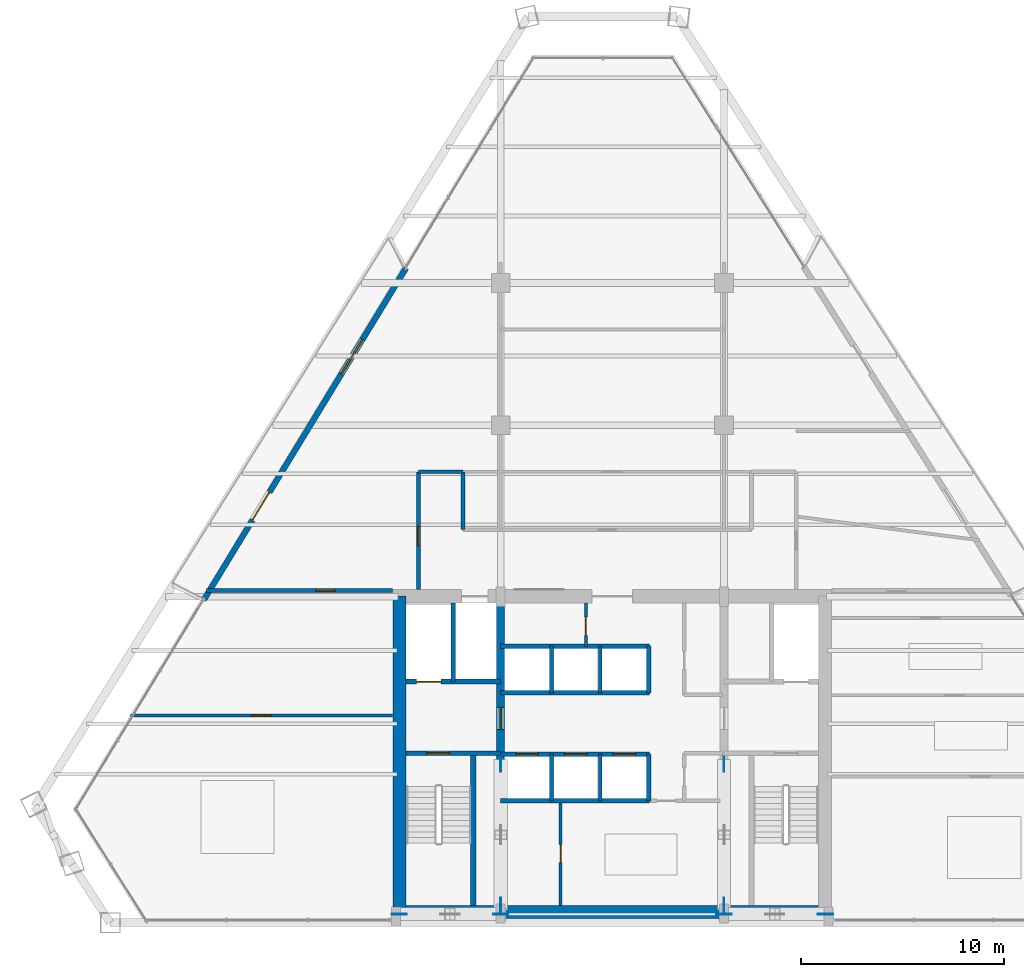
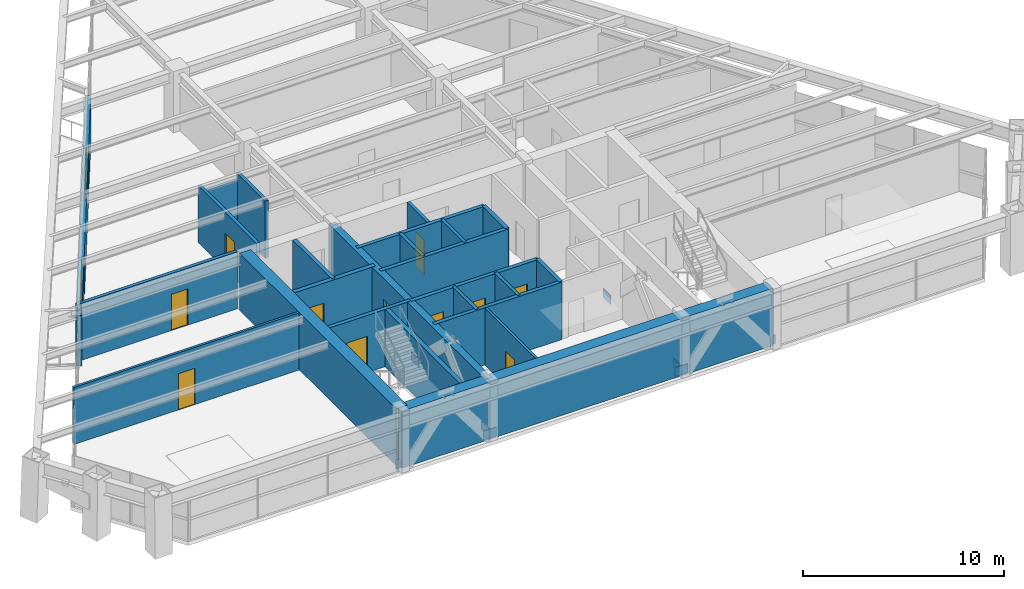
# One storey, part 9 of 13: 25 walls, 12 doors, 8 plates, 1 window, 13 openings.
"""IFC4 building model written with IfcOpenShell, lengths in metres."""

from ifc_helpers import new_model, si_unit, direction, frame, frame_2d, origin, origin_2d, place, context, subcontext, project, spatial, rectangle, extrude, source, transform, mapped, material, layer, layer_set, type_object, type_shapes, element, fill, save


model = new_model("IFC4")

# Units and contexts
model_context = context("Model", 3, precision=1e-05, world=origin(), true_north=direction((0.0, 1.0)))
body_context = subcontext(model_context, "Body", "Model", "MODEL_VIEW")
ifc_project = project(units=[si_unit("LENGTHUNIT", "METRE"), si_unit("AREAUNIT", "SQUARE_METRE"), si_unit("VOLUMEUNIT", "CUBIC_METRE"), si_unit("PLANEANGLEUNIT", "RADIAN"), si_unit("MASSUNIT", "GRAM", prefix="KILO")], contexts=[model_context])

# Site, building, storey
site_placement = place(None, origin())
site = spatial("IfcSite", under=ifc_project, at=site_placement, CompositionType="ELEMENT")
building_placement = place(site_placement, origin())
building = spatial("IfcBuilding", under=site, at=building_placement, Name="Varnakhor Terracotta Tower", CompositionType="ELEMENT")
storey_placement = place(building_placement, frame((0.0, 0.0, 204.300048828125)))
storey = spatial("IfcBuildingStorey", under=building, at=storey_placement, Name="L52", CompositionType="ELEMENT", Elevation=204.300048828125)

# Plates
ifc_material_1 = material(Name="Steel S460", Category="steel")
ifc_layer_1 = layer(ifc_material_1, 0.050048828125, Name="Steel S460")
ifc_layer_set_1 = layer_set([ifc_layer_1], Name="Steel S460")
plate_type = type_object("IfcPlateType", Name="PLT-GUSSET-50", PredefinedType="USERDEFINED", material=ifc_layer_set_1)
shared_shape_1 = source(origin(), body_context, "Body", "SweptSolid", [
    extrude(rectangle(XDim=0.75, YDim=0.0400390625, at=origin_2d()), origin(), (0.0, 0.0, 1.0), 0.550048828125),
])
type_shapes(plate_type, [shared_shape_1])
for number, where, z_axis, x_axis, name in (
    (1, (-10.5, 0.419921875, -0.09521484375), (0.0, 0.0, 1.0), (1.0, 0.0, 0.0), "L52 Core Brace Embed Plate CSWA"),
    (2, (-5.5, 0.419921875, -0.09521484375), (0.0, 0.0, 1.0), (1.0, 0.0, 0.0), "L52 Core Brace Embed Plate CSWB"),
    (3, (5.5, 0.419921875, -0.09521484375), (0.0, 0.0, 1.0), (1.0, 0.0, 0.0), "L52 Core Brace Embed Plate CSEA"),
    (4, (10.5, 0.419921875, -0.09521484375), (0.0, 0.0, 1.0), (1.0, 0.0, 0.0), "L52 Core Brace Embed Plate CSEB"),
    (5, (-5.5, 0.85009765625, -0.09521484375), (0.0, 0.0, 1.0), (0.0, 1.0, 0.0), "L52 Core Brace Embed Plate CWWA"),
    (6, (-5.5, 7.800048828125, -0.09521484375), (0.0, 0.0, 1.0), (0.0, 1.0, 0.0), "L52 Core Brace Embed Plate CWWB"),
    (7, (5.5, 0.85009765625, -0.09521484375), (0.0, 0.0, 1.0), (0.0, 1.0, 0.0), "L52 Core Brace Embed Plate CWEA"),
    (8, (5.5, 7.800048828125, -0.09521484375), (0.0, 0.0, 1.0), (0.0, 1.0, 0.0), "L52 Core Brace Embed Plate CWEB"),
):
    element("IfcPlate", number, at=place(storey_placement, frame(where, z_axis=z_axis, x_axis=x_axis)), inside=storey, type_object=plate_type, Name=name, ObjectType="GUSSET PLATE", PredefinedType="USERDEFINED", context=body_context, shape_type="MappedRepresentation", body=[
        mapped(shared_shape_1, transform((0.0, 0.0, 0.0), scale=1.0)),
    ])

# Walls
ifc_material_2 = material(Name="Concrete C50/60", Category="concrete")
ifc_layer_2 = layer(ifc_material_2, 0.64990234375, Name="Concrete C50/60")
ifc_layer_set_2 = layer_set([ifc_layer_2], Name="Concrete C50/60")
wall_type_1 = type_object("IfcWallType", Name="WAL-CORE-650", PredefinedType="SHEAR", material=ifc_layer_set_2)
wall_1_placement = place(storey_placement, frame((-10.64990234375, 0.52490234375, 0.0), z_axis=(0.0, 0.0, 1.0), x_axis=(1.0, 0.0, 0.0)))
element("IfcWall", 9, at=wall_1_placement, inside=storey, type_object=wall_type_1, Name="L52 South Core Shear Wall", PredefinedType="SHEAR", context=body_context, shape_type="SweptSolid", body=[
    extrude(rectangle(XDim=21.2998046875, YDim=0.64990234375, at=frame_2d((10.64990234375, 0.0))), origin(), (0.0, 0.0, 1.0), 3.469970703125),
])
wall_2_placement = place(storey_placement, frame((-10.47509765625, 0.52490234375, 0.0), z_axis=(0.0, 0.0, 1.0), x_axis=(0.0, 1.0, 0.0)))
element("IfcWall", 10, at=wall_2_placement, inside=storey, type_object=wall_type_1, Name="L52 West Core Shear Wall", PredefinedType="SHEAR", context=body_context, shape_type="SweptSolid", body=[
    extrude(rectangle(XDim=15.550048828125, YDim=0.64990234375, at=frame_2d((7.77490234375, 0.0))), origin(), (0.0, 0.0, 1.0), 3.469970703125),
])

# Wall, opening, door
ifc_layer_3 = layer(ifc_material_2, 0.39990234375, Name="Concrete C50/60")
ifc_layer_set_3 = layer_set([ifc_layer_3], Name="Concrete C50/60")
wall_type_2 = type_object("IfcWallType", Name="WAL-CORE-WEB-400", PredefinedType="SHEAR", material=ifc_layer_set_3)
wall_3_placement = place(storey_placement, frame((-5.5, 0.52490234375, 0.0), z_axis=(0.0, 0.0, 1.0), x_axis=(0.0, 1.0, 0.0)))
wall_3 = element("IfcWall", 11, at=wall_3_placement, inside=storey, type_object=wall_type_2, Name="L52 West Core Web Shear Wall", PredefinedType="SHEAR", context=body_context, shape_type="SweptSolid", body=[
    extrude(rectangle(XDim=15.550048828125, YDim=0.39990234375, at=frame_2d((7.77490234375, 0.0))), origin(), (0.0, 0.0, 1.0), 3.469970703125),
])
opening_1_placement = place(wall_3_placement, frame((8.97509765625, 0.0, 0.0)))
opening_1 = element("IfcOpeningElement", 12, at=opening_1_placement, cuts=wall_3, Name="Opening DR-25", PredefinedType="OPENING", context=body_context, shape_type="SweptSolid", body=[
    extrude(rectangle(XDim=1.10009765625, YDim=2.199951171875, at=frame_2d((0.550048828125, 1.10009765625))), frame((0.0, 0.2099609375, 0.0), z_axis=(0.0, -1.0, 0.0), x_axis=(1.0, 0.0, 0.0)), (0.0, 0.0, 1.0), 0.419921875),
])
ifc_material_3 = material(Name="Firefighting Lobby Self-Closing Fire Door", Category="steel")
door_type_1 = type_object("IfcDoorType", Name="DR-FFL-1100X2200", OperationType="NOTDEFINED", PredefinedType="DOOR", material=ifc_material_3)
shared_shape_2 = source(origin(), body_context, "Body", "SweptSolid", [
    extrude(rectangle(XDim=1.10009765625, YDim=2.199951171875, at=frame_2d((0.550048828125, 1.10009765625))), frame((0.0, 0.02490234375, 0.0), z_axis=(0.0, -1.0, 0.0), x_axis=(1.0, 0.0, 0.0)), (0.0, 0.0, 1.0), 0.050048828125),
])
type_shapes(door_type_1, [shared_shape_2])
door_1_placement = place(opening_1_placement, origin())
door_1 = element("IfcDoor", 13, at=door_1_placement, inside=storey, type_object=door_type_1, Name="L52 West Firefighting Lobby Door", OperationType="SINGLE_SWING_RIGHT", OverallHeight=2.199951171875, OverallWidth=1.10009765625, PredefinedType="DOOR", context=body_context, shape_type="MappedRepresentation", body=[
    mapped(shared_shape_2, transform((0.0, 0.0, 0.0), scale=1.0)),
])
fill(opening_1, door_1)

# Wall
ifc_material_4 = material(Name="Fire-Rated Gypsum Stud Partition", Category="gypsum")
ifc_layer_4 = layer(ifc_material_4, 0.18505859375, Name="Fire-Rated Gypsum Stud Partition")
ifc_layer_set_4 = layer_set([ifc_layer_4], Name="Fire-Rated Gypsum Stud Partition")
wall_type_3 = type_object("IfcWallType", Name="WAL-CORR-185", PredefinedType="PARTITIONING", material=ifc_layer_set_4)
wall_4_placement = place(storey_placement, frame((-7.35009765625, 19.35009765625, 0.0), z_axis=(0.0, 0.0, 1.0), x_axis=(0.0, 1.0, 0.0)))
element("IfcWall", 14, at=wall_4_placement, inside=storey, type_object=wall_type_3, Name="L52 West Gallery Inner Wall", PredefinedType="PARTITIONING", context=body_context, shape_type="SweptSolid", body=[
    extrude(rectangle(XDim=2.849853515625, YDim=0.18505859375, at=frame_2d((1.4248046875, 0.0))), origin(), (0.0, 0.0, 1.0), 3.4619140625),
])

# Wall, opening, door
wall_5_placement = place(storey_placement, frame((-9.550048828125, 16.39990234375, 0.0), z_axis=(0.0, 0.0, 1.0), x_axis=(0.0, 1.0, 0.0)))
wall_5 = element("IfcWall", 15, at=wall_5_placement, inside=storey, type_object=wall_type_3, Name="L52 West Gallery Outer Wall", PredefinedType="PARTITIONING", context=body_context, shape_type="SweptSolid", body=[
    extrude(rectangle(XDim=5.800048828125, YDim=0.18505859375, at=frame_2d((2.89990234375, 0.0))), origin(), (0.0, 0.0, 1.0), 3.4619140625),
])
opening_2_placement = place(wall_5_placement, frame((2.1689453125, 0.0, 0.0)))
opening_2 = element("IfcOpeningElement", 16, at=opening_2_placement, cuts=wall_5, Name="Opening DR-94", PredefinedType="OPENING", context=body_context, shape_type="SweptSolid", body=[
    extrude(rectangle(XDim=0.949951171875, YDim=2.199951171875, at=frame_2d((0.47509765625, 1.10009765625))), frame((0.0, 0.1025390625, 0.0), z_axis=(0.0, -1.0, 0.0), x_axis=(1.0, 0.0, 0.0)), (0.0, 0.0, 1.0), 0.205078125),
])
ifc_material_5 = material(Name="Acoustic Glazed-Vision Timber Office Door", Category="wood")
door_type_2 = type_object("IfcDoorType", Name="DR-OFF-950X2200", OperationType="NOTDEFINED", PredefinedType="DOOR", material=ifc_material_5)
shared_shape_3 = source(origin(), body_context, "Body", "SweptSolid", [
    extrude(rectangle(XDim=0.949951171875, YDim=2.199951171875, at=frame_2d((0.47509765625, 1.10009765625))), frame((0.0, 0.02490234375, 0.0), z_axis=(0.0, -1.0, 0.0), x_axis=(1.0, 0.0, 0.0)), (0.0, 0.0, 1.0), 0.050048828125),
])
type_shapes(door_type_2, [shared_shape_3])
door_2_placement = place(opening_2_placement, origin())
door_2 = element("IfcDoor", 17, at=door_2_placement, inside=storey, type_object=door_type_2, Name="L52 West Wing Door", OperationType="SINGLE_SWING_LEFT", OverallHeight=2.199951171875, OverallWidth=0.949951171875, PredefinedType="DOOR", context=body_context, shape_type="MappedRepresentation", body=[
    mapped(shared_shape_3, transform((0.0, 0.0, 0.0), scale=1.0)),
])
fill(opening_2, door_2)

# Wall
wall_6_placement = place(storey_placement, frame((-9.550048828125, 22.199951171875, 0.0), z_axis=(0.0, 0.0, 1.0), x_axis=(1.0, 0.0, 0.0)))
element("IfcWall", 18, at=wall_6_placement, inside=storey, type_object=wall_type_3, Name="L52 West Gallery North End", PredefinedType="PARTITIONING", context=body_context, shape_type="SweptSolid", body=[
    extrude(rectangle(XDim=2.199951171875, YDim=0.18505859375, at=frame_2d((1.10009765625, 0.0))), origin(), (0.0, 0.0, 1.0), 3.049072265625),
])

# Wall, opening, door
wall_7_placement = place(storey_placement, frame((-19.990478515625, 16.35009765625, 0.0), z_axis=(0.0, 0.0, 1.0), x_axis=(1.0, 0.0, 0.0)))
wall_7 = element("IfcWall", 19, at=wall_7_placement, inside=storey, type_object=wall_type_3, Name="L52 South West Entry Wall", PredefinedType="PARTITIONING", context=body_context, shape_type="SweptSolid", body=[
    extrude(rectangle(XDim=9.17041015625, YDim=0.18505859375, at=frame_2d((4.585205078125, 0.0))), origin(), (0.0, 0.0, 1.0), 3.4619140625),
])
opening_3_placement = place(wall_7_placement, frame((5.3837890625, 0.0, 0.0)))
opening_3 = element("IfcOpeningElement", 20, at=opening_3_placement, cuts=wall_7, Name="Opening DR-94", PredefinedType="OPENING", context=body_context, shape_type="SweptSolid", body=[
    extrude(rectangle(XDim=0.949951171875, YDim=2.199951171875, at=frame_2d((0.47509765625, 1.10009765625))), frame((0.0, 0.1025390625, 0.0), z_axis=(0.0, -1.0, 0.0), x_axis=(1.0, 0.0, 0.0)), (0.0, 0.0, 1.0), 0.205078125),
])
door_3_placement = place(opening_3_placement, origin())
door_3 = element("IfcDoor", 21, at=door_3_placement, inside=storey, type_object=door_type_2, Name="L52 SW Suite Door", OperationType="SINGLE_SWING_LEFT", OverallHeight=2.199951171875, OverallWidth=0.949951171875, PredefinedType="DOOR", context=body_context, shape_type="MappedRepresentation", body=[
    mapped(shared_shape_3, transform((0.0, 0.0, 0.0), scale=1.0)),
])
fill(opening_3, door_3)

# Wall, openings, door, window
ifc_material_6 = material(Name="Extruded Architectural Terracotta Assembly", Category="masonry")
ifc_layer_5 = layer(ifc_material_6, 0.280029296875, Name="Extruded Architectural Terracotta Assembly")
ifc_layer_set_5 = layer_set([ifc_layer_5], Name="Extruded Architectural Terracotta Assembly")
wall_type_4 = type_object("IfcWallType", Name="WAL-EXT-TERRACOTTA-280", PredefinedType="SOLIDWALL", material=ifc_layer_set_5)
wall_8_placement = place(storey_placement, frame((-20.106689453125, 15.9091796875, 0.0), z_axis=(0.0, 0.0, 1.0), x_axis=(0.520259714572, 0.854008096796, 0.0)))
wall_8 = element("IfcWall", 22, at=wall_8_placement, inside=storey, type_object=wall_type_4, Name="L52 W Loggia Insulated Terracotta Wall", PredefinedType="SOLIDWALL", context=body_context, shape_type="SweptSolid", body=[
    extrude(rectangle(XDim=19.115234375, YDim=0.280029296875, at=frame_2d((9.5576171875, 0.0))), origin(), (0.0, 0.0, 1.0), 3.050048828125),
])
opening_4_placement = place(wall_8_placement, frame((4.587646484375, 0.0, 0.0)))
opening_4 = element("IfcOpeningElement", 23, at=opening_4_placement, cuts=wall_8, Name="Opening DR-62", PredefinedType="OPENING", context=body_context, shape_type="SweptSolid", body=[
    extrude(rectangle(XDim=1.60009765625, YDim=2.35009765625, at=frame_2d((0.800048828125, 1.175048828125))), frame((0.0, 0.14990234375, 0.0), z_axis=(0.0, -1.0, 0.0), x_axis=(1.0, 0.0, 0.0)), (0.0, 0.0, 1.0), 0.300048828125),
])
opening_5_placement = place(wall_8_placement, frame((12.998291015625, 0.0, 0.89990234375)))
opening_5 = element("IfcOpeningElement", 24, at=opening_5_placement, cuts=wall_8, Name="Opening WN-26", PredefinedType="OPENING", context=body_context, shape_type="SweptSolid", body=[
    extrude(rectangle(XDim=2.0, YDim=1.85009765625, at=frame_2d((1.0, 0.925048828125))), frame((0.0, 0.14990234375, 0.0), z_axis=(0.0, -1.0, 0.0), x_axis=(1.0, 0.0, 0.0)), (0.0, 0.0, 1.0), 0.300048828125),
])
ifc_material_7 = material(Name="Thermally Broken Sliding Glass Loggia Door", Category="glass")
door_type_3 = type_object("IfcDoorType", Name="DR-EXT-LOGGIA-1600X2350", OperationType="NOTDEFINED", PredefinedType="DOOR", material=ifc_material_7)
shared_shape_4 = source(origin(), body_context, "Body", "SweptSolid", [
    extrude(rectangle(XDim=1.60009765625, YDim=2.35009765625, at=frame_2d((0.800048828125, 1.175048828125))), frame((0.0, 0.02490234375, 0.0), z_axis=(0.0, -1.0, 0.0), x_axis=(1.0, 0.0, 0.0)), (0.0, 0.0, 1.0), 0.050048828125),
])
type_shapes(door_type_3, [shared_shape_4])
door_4_placement = place(opening_4_placement, origin())
door_4 = element("IfcDoor", 25, at=door_4_placement, inside=storey, type_object=door_type_3, Name="L52 W Recessed Loggia Sliding Door", OperationType="SLIDING_TO_LEFT", OverallHeight=2.35009765625, OverallWidth=1.60009765625, PredefinedType="DOOR", context=body_context, shape_type="MappedRepresentation", body=[
    mapped(shared_shape_4, transform((0.0, 0.0, 0.0), scale=1.0)),
])
fill(opening_4, door_4)
ifc_material_8 = material(Name="Solar-Control Low-E Insulated Glass Unit", Category="glass")
window_type = type_object("IfcWindowType", Name="WIN-OFF-2200X2100", PartitioningType="SINGLE_PANEL", PredefinedType="WINDOW", material=ifc_material_8)
shared_shape_5 = source(origin(), body_context, "Body", "SweptSolid", [
    extrude(rectangle(XDim=2.0, YDim=1.85009765625, at=frame_2d((1.0, 0.925048828125))), frame((0.0, 0.030029296875, 0.0), z_axis=(0.0, -1.0, 0.0), x_axis=(1.0, 0.0, 0.0)), (0.0, 0.0, 1.0), 0.06005859375),
])
type_shapes(window_type, [shared_shape_5])
window_placement = place(opening_5_placement, origin())
window = element("IfcWindow", 26, at=window_placement, inside=storey, type_object=window_type, Name="L52 W Facet Punched Window", OverallHeight=1.85009765625, OverallWidth=2.0, PartitioningType="SINGLE_PANEL", PredefinedType="WINDOW", context=body_context, shape_type="MappedRepresentation", body=[
    mapped(shared_shape_5, transform((0.0, 0.0, 0.0), scale=1.0)),
])
fill(opening_5, window)

# Wall, opening, door
ifc_material_9 = material(Name="Concrete C40/50", Category="concrete")
ifc_layer_6 = layer(ifc_material_9, 0.219970703125, Name="Concrete C40/50")
ifc_layer_set_6 = layer_set([ifc_layer_6], Name="Concrete C40/50")
wall_type_5 = type_object("IfcWallType", Name="WAL-FFLOBBY-220", PredefinedType="SOLIDWALL", material=ifc_layer_set_6)
wall_9_placement = place(storey_placement, frame((-5.5, 8.35009765625, 0.0), z_axis=(0.0, 0.0, 1.0), x_axis=(-1.0, 0.0, 0.0)))
wall_9 = element("IfcWall", 27, at=wall_9_placement, inside=storey, type_object=wall_type_5, Name="L52 West Firefighting Lobby Stair Wall", PredefinedType="SOLIDWALL", context=body_context, shape_type="SweptSolid", body=[
    extrude(rectangle(XDim=4.64990234375, YDim=0.219970703125, at=frame_2d((2.324951171875, 0.0))), origin(), (0.0, 0.0, 1.0), 3.469970703125),
])
opening_6_placement = place(wall_9_placement, frame((2.5, 0.0, 0.0)))
opening_6 = element("IfcOpeningElement", 28, at=opening_6_placement, cuts=wall_9, Name="Opening DR-34", PredefinedType="OPENING", context=body_context, shape_type="SweptSolid", body=[
    extrude(rectangle(XDim=1.14990234375, YDim=2.199951171875, at=frame_2d((0.574951171875, 1.10009765625))), frame((0.0, 0.1201171875, 0.0), z_axis=(0.0, -1.0, 0.0), x_axis=(1.0, 0.0, 0.0)), (0.0, 0.0, 1.0), 0.239990234375),
])
ifc_material_10 = material(Name="Self-Closing Smoke-Sealed Steel Fire Door", Category="steel")
door_type_4 = type_object("IfcDoorType", Name="DR-STAIR-1150X2200", OperationType="NOTDEFINED", PredefinedType="DOOR", material=ifc_material_10)
shared_shape_6 = source(origin(), body_context, "Body", "SweptSolid", [
    extrude(rectangle(XDim=1.14990234375, YDim=2.199951171875, at=frame_2d((0.574951171875, 1.10009765625))), frame((0.0, 0.02490234375, 0.0), z_axis=(0.0, -1.0, 0.0), x_axis=(1.0, 0.0, 0.0)), (0.0, 0.0, 1.0), 0.050048828125),
])
type_shapes(door_type_4, [shared_shape_6])
door_5_placement = place(opening_6_placement, origin())
door_5 = element("IfcDoor", 29, at=door_5_placement, inside=storey, type_object=door_type_4, Name="L52 Exit Stair ST-1 Fire Door", OperationType="SINGLE_SWING_LEFT", OverallHeight=2.199951171875, OverallWidth=1.14990234375, PredefinedType="DOOR", context=body_context, shape_type="MappedRepresentation", body=[
    mapped(shared_shape_6, transform((0.0, 0.0, 0.0), scale=1.0)),
])
fill(opening_6, door_5)

ifc_material_11 = material(Name="Acoustic Metal-Stud Partition", Category="gypsum")
ifc_layer_7 = layer(ifc_material_11, 0.139892578125, Name="Acoustic Metal-Stud Partition")
ifc_layer_set_7 = layer_set([ifc_layer_7], Name="Acoustic Metal-Stud Partition")
wall_type_6 = type_object("IfcWallType", Name="WAL-PART-140", PredefinedType="PARTITIONING", material=ifc_layer_set_7)
wall_10_placement = place(storey_placement, frame((-23.73681640625, 10.199951171875, 0.0), z_axis=(0.0, 0.0, 1.0), x_axis=(1.0, 0.0, 0.0)))
wall_10 = element("IfcWall", 30, at=wall_10_placement, inside=storey, type_object=wall_type_6, Name="L52 West Wing Cut 1", PredefinedType="PARTITIONING", context=body_context, shape_type="SweptSolid", body=[
    extrude(rectangle(XDim=12.916748046875, YDim=0.139892578125, at=frame_2d((6.45849609375, 0.0))), origin(), (0.0, 0.0, 1.0), 3.4619140625),
])
opening_7_placement = place(wall_10_placement, frame((5.988525390625, 0.0, 0.0)))
opening_7 = element("IfcOpeningElement", 31, at=opening_7_placement, cuts=wall_10, Name="Opening DR-94", PredefinedType="OPENING", context=body_context, shape_type="SweptSolid", body=[
    extrude(rectangle(XDim=0.949951171875, YDim=2.199951171875, at=frame_2d((0.47509765625, 1.10009765625))), frame((0.0, 0.080078125, 0.0), z_axis=(0.0, -1.0, 0.0), x_axis=(1.0, 0.0, 0.0)), (0.0, 0.0, 1.0), 0.159912109375),
])
door_6_placement = place(opening_7_placement, origin())
door_6 = element("IfcDoor", 32, at=door_6_placement, inside=storey, type_object=door_type_2, Name="L52 Quiet Study Room Door", OperationType="SINGLE_SWING_LEFT", OverallHeight=2.199951171875, OverallWidth=0.949951171875, PredefinedType="DOOR", context=body_context, shape_type="MappedRepresentation", body=[
    mapped(shared_shape_3, transform((0.0, 0.0, 0.0), scale=1.0)),
])
fill(opening_7, door_6)

# Walls
ifc_layer_8 = layer(ifc_material_9, 0.179931640625, Name="Concrete C40/50")
ifc_layer_set_8 = layer_set([ifc_layer_8], Name="Concrete C40/50")
wall_type_7 = type_object("IfcWallType", Name="WAL-SHAFT-180", PredefinedType="SOLIDWALL", material=ifc_layer_set_8)
for number, where, z_axis, x_axis, name in (
    (33, (-3.0, 6.0, 0.0), (0.0, 0.0, 1.0), (0.0, 1.0, 0.0), "L52 PL-2A Divider"),
    (34, (-0.60009765625, 6.0, 0.0), (0.0, 0.0, 1.0), (0.0, 1.0, 0.0), "L52 PL-2B Divider"),
    (35, (-3.0, 11.320068359375, 0.0), (0.0, 0.0, 1.0), (0.0, 1.0, 0.0), "L52 PL-3A Divider"),
    (36, (-0.60009765625, 11.320068359375, 0.0), (0.0, 0.0, 1.0), (0.0, 1.0, 0.0), "L52 PL-3B Divider"),
):
    element("IfcWall", number, at=place(storey_placement, frame(where, z_axis=z_axis, x_axis=x_axis)), inside=storey, type_object=wall_type_7, Name=name, PredefinedType="SOLIDWALL", context=body_context, shape_type="SweptSolid", body=[
        extrude(rectangle(XDim=2.300048828125, YDim=0.179931640625, at=frame_2d((1.14990234375, 0.0))), origin(), (0.0, 0.0, 1.0), 3.469970703125),
    ])
ifc_layer_9 = layer(ifc_material_9, 0.219970703125, Name="Concrete C40/50")
ifc_layer_set_9 = layer_set([ifc_layer_9], Name="Concrete C40/50")
wall_type_8 = type_object("IfcWallType", Name="WAL-SHAFT-220", PredefinedType="SOLIDWALL", material=ifc_layer_set_9)
wall_11_placement = place(storey_placement, frame((-7.840087890625, 11.8701171875, 0.0), z_axis=(0.0, 0.0, 1.0), x_axis=(0.0, 1.0, 0.0)))
element("IfcWall", 37, at=wall_11_placement, inside=storey, type_object=wall_type_8, Name="L52 Lift FFL-1 and SVL-1 Divider Wall", PredefinedType="SOLIDWALL", context=body_context, shape_type="SweptSolid", body=[
    extrude(rectangle(XDim=3.8798828125, YDim=0.219970703125, at=frame_2d((1.93994140625, 0.0))), origin(), (0.0, 0.0, 1.0), 3.469970703125),
])
wall_12_placement = place(storey_placement, frame((-5.5, 6.0, 0.0), z_axis=(0.0, 0.0, 1.0), x_axis=(1.0, 0.0, 0.0)))
element("IfcWall", 38, at=wall_12_placement, inside=storey, type_object=wall_type_8, Name="L52 Bank 2 South Shaft Wall", PredefinedType="SOLIDWALL", context=body_context, shape_type="SweptSolid", body=[
    extrude(rectangle(XDim=7.320068359375, YDim=0.219970703125, at=frame_2d((3.66015625, 0.0))), origin(), (0.0, 0.0, 1.0), 3.469970703125),
])

# Wall, openings, doors
wall_13_placement = place(storey_placement, frame((-5.5, 8.300048828125, 0.0), z_axis=(0.0, 0.0, 1.0), x_axis=(1.0, 0.0, 0.0)))
wall_13 = element("IfcWall", 39, at=wall_13_placement, inside=storey, type_object=wall_type_8, Name="L52 Bank 2 North Shaft Wall", PredefinedType="SOLIDWALL", context=body_context, shape_type="SweptSolid", body=[
    extrude(rectangle(XDim=7.320068359375, YDim=0.219970703125, at=frame_2d((3.66015625, 0.0))), origin(), (0.0, 0.0, 1.0), 3.469970703125),
])
opening_8_placement = place(wall_13_placement, frame((0.75, 0.0, 0.0)))
opening_8 = element("IfcOpeningElement", 40, at=opening_8_placement, cuts=wall_13, Name="Opening LD-01", PredefinedType="OPENING", context=body_context, shape_type="SweptSolid", body=[
    extrude(rectangle(XDim=1.10009765625, YDim=2.199951171875, at=frame_2d((0.550048828125, 1.10009765625))), frame((0.0, 0.1201171875, 0.0), z_axis=(0.0, -1.0, 0.0), x_axis=(1.0, 0.0, 0.0)), (0.0, 0.0, 1.0), 0.239990234375),
])
opening_9_placement = place(wall_13_placement, frame((3.14990234375, 0.0, 0.0)))
opening_9 = element("IfcOpeningElement", 41, at=opening_9_placement, cuts=wall_13, Name="Opening LD-01", PredefinedType="OPENING", context=body_context, shape_type="SweptSolid", body=[
    extrude(rectangle(XDim=1.10009765625, YDim=2.199951171875, at=frame_2d((0.550048828125, 1.10009765625))), frame((0.0, 0.1201171875, 0.0), z_axis=(0.0, -1.0, 0.0), x_axis=(1.0, 0.0, 0.0)), (0.0, 0.0, 1.0), 0.239990234375),
])
opening_10_placement = place(wall_13_placement, frame((5.550048828125, 0.0, 0.0)))
opening_10 = element("IfcOpeningElement", 42, at=opening_10_placement, cuts=wall_13, Name="Opening LD-01", PredefinedType="OPENING", context=body_context, shape_type="SweptSolid", body=[
    extrude(rectangle(XDim=1.10009765625, YDim=2.199951171875, at=frame_2d((0.550048828125, 1.10009765625))), frame((0.0, 0.1201171875, 0.0), z_axis=(0.0, -1.0, 0.0), x_axis=(1.0, 0.0, 0.0)), (0.0, 0.0, 1.0), 0.239990234375),
])
ifc_material_12 = material(Name="Brushed Stainless Steel Sliding Lift Landing Door", Category="steel")
door_type_5 = type_object("IfcDoorType", Name="LD-PASS-1100X2200", OperationType="NOTDEFINED", PredefinedType="DOOR", material=ifc_material_12)
shared_shape_7 = source(origin(), body_context, "Body", "SweptSolid", [
    extrude(rectangle(XDim=1.10009765625, YDim=2.199951171875, at=frame_2d((0.550048828125, 1.10009765625))), frame((0.0, 0.02490234375, 0.0), z_axis=(0.0, -1.0, 0.0), x_axis=(1.0, 0.0, 0.0)), (0.0, 0.0, 1.0), 0.050048828125),
])
type_shapes(door_type_5, [shared_shape_7])
door_7_placement = place(opening_8_placement, origin())
door_7 = element("IfcDoor", 43, at=door_7_placement, inside=storey, type_object=door_type_5, Name="L52 Passenger Lift PL-2A Landing Door", OperationType="SLIDING_TO_LEFT", OverallHeight=2.199951171875, OverallWidth=1.10009765625, PredefinedType="DOOR", context=body_context, shape_type="MappedRepresentation", body=[
    mapped(shared_shape_7, transform((0.0, 0.0, 0.0), scale=1.0)),
])
fill(opening_8, door_7)
door_8_placement = place(opening_9_placement, origin())
door_8 = element("IfcDoor", 44, at=door_8_placement, inside=storey, type_object=door_type_5, Name="L52 Passenger Lift PL-2B Landing Door", OperationType="SLIDING_TO_LEFT", OverallHeight=2.199951171875, OverallWidth=1.10009765625, PredefinedType="DOOR", context=body_context, shape_type="MappedRepresentation", body=[
    mapped(shared_shape_7, transform((0.0, 0.0, 0.0), scale=1.0)),
])
fill(opening_9, door_8)
door_9_placement = place(opening_10_placement, origin())
door_9 = element("IfcDoor", 45, at=door_9_placement, inside=storey, type_object=door_type_5, Name="L52 Passenger Lift PL-2C Landing Door", OperationType="SLIDING_TO_LEFT", OverallHeight=2.199951171875, OverallWidth=1.10009765625, PredefinedType="DOOR", context=body_context, shape_type="MappedRepresentation", body=[
    mapped(shared_shape_7, transform((0.0, 0.0, 0.0), scale=1.0)),
])
fill(opening_10, door_9)

# Walls
wall_14_placement = place(storey_placement, frame((1.800048828125, 6.0, 0.0), z_axis=(0.0, 0.0, 1.0), x_axis=(0.0, 1.0, 0.0)))
element("IfcWall", 46, at=wall_14_placement, inside=storey, type_object=wall_type_8, Name="L52 Bank 2 East Shaft Wall", PredefinedType="SOLIDWALL", context=body_context, shape_type="SweptSolid", body=[
    extrude(rectangle(XDim=2.300048828125, YDim=0.219970703125, at=frame_2d((1.14990234375, 0.0))), origin(), (0.0, 0.0, 1.0), 3.469970703125),
])
for number, where, z_axis, x_axis, name in (
    (47, (-5.5, 11.320068359375, 0.0), (0.0, 0.0, 1.0), (1.0, 0.0, 0.0), "L52 Bank 3 South Shaft Wall"),
    (48, (-5.5, 13.6201171875, 0.0), (0.0, 0.0, 1.0), (1.0, 0.0, 0.0), "L52 Bank 3 North Shaft Wall"),
):
    element("IfcWall", number, at=place(storey_placement, frame(where, z_axis=z_axis, x_axis=x_axis)), inside=storey, type_object=wall_type_8, Name=name, PredefinedType="SOLIDWALL", context=body_context, shape_type="SweptSolid", body=[
        extrude(rectangle(XDim=7.320068359375, YDim=0.219970703125, at=frame_2d((3.66015625, 0.0))), origin(), (0.0, 0.0, 1.0), 3.469970703125),
    ])
wall_15_placement = place(storey_placement, frame((1.800048828125, 11.320068359375, 0.0), z_axis=(0.0, 0.0, 1.0), x_axis=(0.0, 1.0, 0.0)))
element("IfcWall", 49, at=wall_15_placement, inside=storey, type_object=wall_type_8, Name="L52 Bank 3 East Shaft Wall", PredefinedType="SOLIDWALL", context=body_context, shape_type="SweptSolid", body=[
    extrude(rectangle(XDim=2.300048828125, YDim=0.219970703125, at=frame_2d((1.14990234375, 0.0))), origin(), (0.0, 0.0, 1.0), 3.469970703125),
])
ifc_layer_10 = layer(ifc_material_9, 0.25, Name="Concrete C40/50")
ifc_layer_set_10 = layer_set([ifc_layer_10], Name="Concrete C40/50")
wall_type_9 = type_object("IfcWallType", Name="WAL-SHAFT-250", PredefinedType="SOLIDWALL", material=ifc_layer_set_10)
wall_16_placement = place(storey_placement, frame((-6.85009765625, 0.85009765625, 0.0), z_axis=(0.0, 0.0, 1.0), x_axis=(0.0, 1.0, 0.0)))
element("IfcWall", 50, at=wall_16_placement, inside=storey, type_object=wall_type_9, Name="L52 Stair ST-1 Bearing Shaft Wall", PredefinedType="SOLIDWALL", context=body_context, shape_type="SweptSolid", body=[
    extrude(rectangle(XDim=7.5, YDim=0.25, at=frame_2d((3.75, 0.0))), origin(), (0.0, 0.0, 1.0), 3.469970703125),
])

# Wall, opening, door
wall_17_placement = place(storey_placement, frame((-5.5, 11.8701171875, 0.0), z_axis=(0.0, 0.0, 1.0), x_axis=(-1.0, 0.0, 0.0)))
wall_17 = element("IfcWall", 51, at=wall_17_placement, inside=storey, type_object=wall_type_9, Name="L52 Lift FFL-1 Shaft Front Wall", PredefinedType="SOLIDWALL", context=body_context, shape_type="SweptSolid", body=[
    extrude(rectangle(XDim=4.64990234375, YDim=0.25, at=frame_2d((2.324951171875, 0.0))), origin(), (0.0, 0.0, 1.0), 3.469970703125),
])
opening_11_placement = place(wall_17_placement, frame((2.949951171875, 0.0, 0.0)))
opening_11 = element("IfcOpeningElement", 52, at=opening_11_placement, cuts=wall_17, Name="Opening LD-02", PredefinedType="OPENING", context=body_context, shape_type="SweptSolid", body=[
    extrude(rectangle(XDim=1.199951171875, YDim=2.25, at=frame_2d((0.60009765625, 1.125))), frame((0.0, 0.135009765625, 0.0), z_axis=(0.0, -1.0, 0.0), x_axis=(1.0, 0.0, 0.0)), (0.0, 0.0, 1.0), 0.27001953125),
])
ifc_material_13 = material(Name="Firefighting Stretcher Sliding Lift Landing Door", Category="steel")
door_type_6 = type_object("IfcDoorType", Name="LD-FFL-1200X2250", OperationType="NOTDEFINED", PredefinedType="DOOR", material=ifc_material_13)
shared_shape_8 = source(origin(), body_context, "Body", "SweptSolid", [
    extrude(rectangle(XDim=1.199951171875, YDim=2.25, at=frame_2d((0.60009765625, 1.125))), frame((0.0, 0.02490234375, 0.0), z_axis=(0.0, -1.0, 0.0), x_axis=(1.0, 0.0, 0.0)), (0.0, 0.0, 1.0), 0.050048828125),
])
type_shapes(door_type_6, [shared_shape_8])
door_10_placement = place(opening_11_placement, origin())
door_10 = element("IfcDoor", 53, at=door_10_placement, inside=storey, type_object=door_type_6, Name="L52 Firefighting Lift FFL-1 Landing Door", OperationType="SLIDING_TO_LEFT", OverallHeight=2.25, OverallWidth=1.199951171875, PredefinedType="DOOR", context=body_context, shape_type="MappedRepresentation", body=[
    mapped(shared_shape_8, transform((0.0, 0.0, 0.0), scale=1.0)),
])
fill(opening_11, door_10)

ifc_material_14 = material(Name="Acoustic Fire-Rated Partition", Category="gypsum")
ifc_layer_11 = layer(ifc_material_14, 0.139892578125, Name="Acoustic Fire-Rated Partition")
ifc_layer_set_11 = layer_set([ifc_layer_11], Name="Acoustic Fire-Rated Partition")
wall_type_10 = type_object("IfcWallType", Name="WAL-TENANCY-140", PredefinedType="PARTITIONING", material=ifc_layer_set_11)
wall_18_placement = place(storey_placement, frame((-2.550048828125, 0.85009765625, 0.0), z_axis=(0.0, 0.0, 1.0), x_axis=(0.0, 1.0, 0.0)))
wall_18 = element("IfcWall", 54, at=wall_18_placement, inside=storey, type_object=wall_type_10, Name="L52 Reclaimed Core Bay Split Wall", PredefinedType="PARTITIONING", context=body_context, shape_type="SweptSolid", body=[
    extrude(rectangle(XDim=5.02978515625, YDim=0.139892578125, at=frame_2d((2.514892578125, 0.0))), origin(), (0.0, 0.0, 1.0), 3.4619140625),
])
opening_12_placement = place(wall_18_placement, frame((2.10009765625, 0.0, 0.0)))
opening_12 = element("IfcOpeningElement", 55, at=opening_12_placement, cuts=wall_18, Name="Opening DR-67", PredefinedType="OPENING", context=body_context, shape_type="SweptSolid", body=[
    extrude(rectangle(XDim=0.89990234375, YDim=2.10009765625, at=frame_2d((0.449951171875, 1.050048828125))), frame((0.0, 0.080078125, 0.0), z_axis=(0.0, -1.0, 0.0), x_axis=(1.0, 0.0, 0.0)), (0.0, 0.0, 1.0), 0.159912109375),
])
ifc_material_15 = material(Name="Steel Service Riser Fire Door", Category="steel")
door_type_7 = type_object("IfcDoorType", Name="DR-RISER-900X2100", OperationType="NOTDEFINED", PredefinedType="DOOR", material=ifc_material_15)
shared_shape_9 = source(origin(), body_context, "Body", "SweptSolid", [
    extrude(rectangle(XDim=0.89990234375, YDim=2.10009765625, at=frame_2d((0.449951171875, 1.050048828125))), frame((0.0, 0.02490234375, 0.0), z_axis=(0.0, -1.0, 0.0), x_axis=(1.0, 0.0, 0.0)), (0.0, 0.0, 1.0), 0.050048828125),
])
type_shapes(door_type_7, [shared_shape_9])
door_11_placement = place(opening_12_placement, origin())
door_11 = element("IfcDoor", 56, at=door_11_placement, inside=storey, type_object=door_type_7, Name="L52 Core Inner Service Door", OperationType="SINGLE_SWING_RIGHT", OverallHeight=2.10009765625, OverallWidth=0.89990234375, PredefinedType="DOOR", context=body_context, shape_type="MappedRepresentation", body=[
    mapped(shared_shape_9, transform((0.0, 0.0, 0.0), scale=1.0)),
])
fill(opening_12, door_11)

ifc_layer_12 = layer(ifc_material_14, 0.1650390625, Name="Acoustic Fire-Rated Partition")
ifc_layer_set_12 = layer_set([ifc_layer_12], Name="Acoustic Fire-Rated Partition")
wall_type_11 = type_object("IfcWallType", Name="WAL-TENANCY-165", PredefinedType="PARTITIONING", material=ifc_layer_set_12)
wall_19_placement = place(storey_placement, frame((-1.300048828125, 13.60009765625, 0.0), z_axis=(0.0, 0.0, 1.0), x_axis=(0.0, 1.0, 0.0)))
wall_19 = element("IfcWall", 57, at=wall_19_placement, inside=storey, type_object=wall_type_11, Name="L52 Male Restroom Wall", PredefinedType="PARTITIONING", context=body_context, shape_type="SweptSolid", body=[
    extrude(rectangle(XDim=2.14990234375, YDim=0.1650390625, at=frame_2d((1.074951171875, 0.0))), origin(), (0.0, 0.0, 1.0), 3.4619140625),
])
opening_13_placement = place(wall_19_placement, frame((0.550048828125, 0.0, 0.0)))
opening_13 = element("IfcOpeningElement", 58, at=opening_13_placement, cuts=wall_19, Name="Opening DR-67", PredefinedType="OPENING", context=body_context, shape_type="SweptSolid", body=[
    extrude(rectangle(XDim=0.89990234375, YDim=2.10009765625, at=frame_2d((0.449951171875, 1.050048828125))), frame((0.0, 0.092529296875, 0.0), z_axis=(0.0, -1.0, 0.0), x_axis=(1.0, 0.0, 0.0)), (0.0, 0.0, 1.0), 0.18505859375),
])
door_12_placement = place(opening_13_placement, origin())
door_12 = element("IfcDoor", 59, at=door_12_placement, inside=storey, type_object=door_type_7, Name="L52 Male WC Door", OperationType="SINGLE_SWING_RIGHT", OverallHeight=2.10009765625, OverallWidth=0.89990234375, PredefinedType="DOOR", context=body_context, shape_type="MappedRepresentation", body=[
    mapped(shared_shape_9, transform((0.0, 0.0, 0.0), scale=1.0)),
])
fill(opening_13, door_12)

save(model, "model.ifc")
